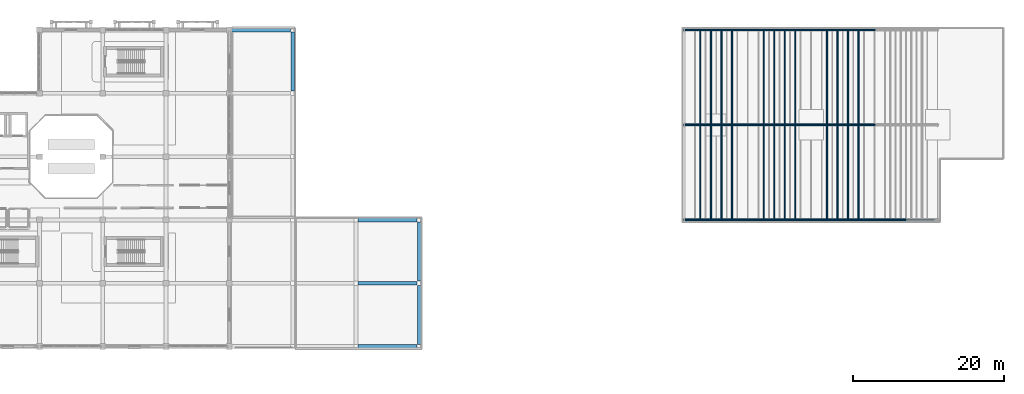
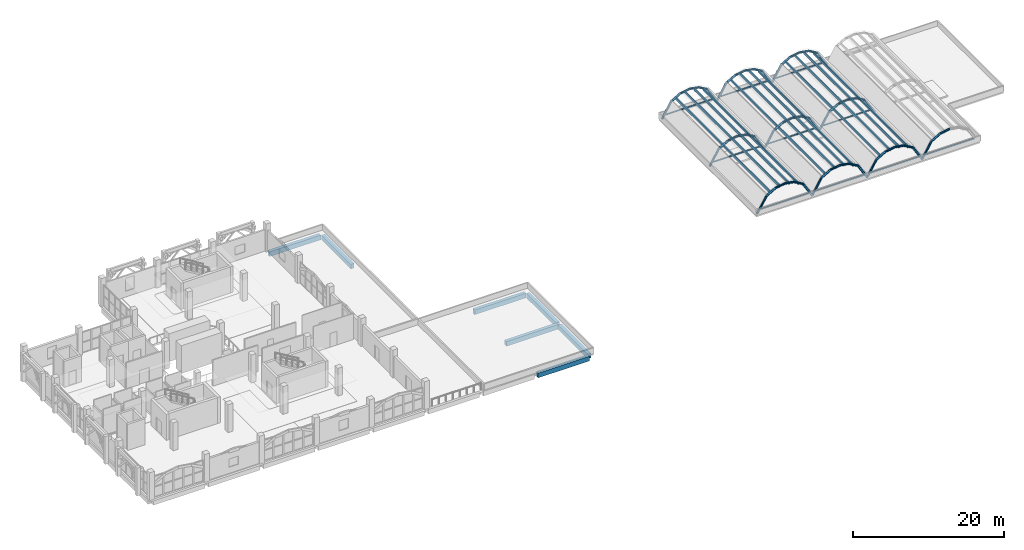
# One storey, part 19 of 34: 74 beams, 24 members.
"""IFC4 building model written with IfcOpenShell, lengths in metres."""

from ifc_helpers import new_model, si_unit, direction, frame, origin, origin_2d, place, context, subcontext, project, spatial, rectangle, hollow_circle, extrude, material, material_profile, profile_set, type_object, element, save


model = new_model("IFC4")

# Units and contexts
model_context = context("Model", 3, precision=1e-05, world=origin(), true_north=direction((0.0, 1.0)))
body_context = subcontext(model_context, "Body", "Model", "MODEL_VIEW")
ifc_project = project(units=[si_unit("LENGTHUNIT", "METRE"), si_unit("AREAUNIT", "SQUARE_METRE"), si_unit("VOLUMEUNIT", "CUBIC_METRE"), si_unit("PLANEANGLEUNIT", "RADIAN"), si_unit("MASSUNIT", "GRAM", prefix="KILO")], contexts=[model_context])

# Site, building, storey
site_placement = place(None, origin())
site = spatial("IfcSite", under=ifc_project, at=site_placement, CompositionType="ELEMENT")
building_placement = place(site_placement, origin())
building = spatial("IfcBuilding", under=site, at=building_placement, Name="Xazarin Passage Department Store", CompositionType="ELEMENT")
storey_placement = place(building_placement, frame((0.0, 0.0, 18.89990234375)))
storey = spatial("IfcBuildingStorey", under=building, at=storey_placement, Name="L04", CompositionType="ELEMENT", Elevation=18.89990234375)

# Beams
ifc_material_1 = material(Name="Steel S355", Category="steel")
ifc_material_profile_1 = material_profile(ifc_material_1, hollow_circle(Radius=0.161865234375, WallThickness=0.01611328125, at=origin_2d()), Name="CHS 323.9x16")
ifc_profile_set_1 = profile_set([ifc_material_profile_1], Name="Steel S355")
beam_type_1 = type_object("IfcBeamType", Name="STR-BM-AR324", PredefinedType="BEAM", material=ifc_profile_set_1)
beam_1_placement = place(storey_placement, frame((102.39990234375, 84.800048828125, 0.0), z_axis=(0.509951062652, 0.0, 0.860203414141), x_axis=(0.0, 1.0, 0.0)))
element("IfcBeam", 1, at=beam_1_placement, inside=storey, type_object=beam_type_1, Name="L04 V4 Curved Shell Arch Rib 1.1.1", PredefinedType="BEAM", context=body_context, shape_type="SweptSolid", body=[
    extrude(hollow_circle(Radius=0.161865234375, WallThickness=0.01611328125, at=origin_2d()), origin(), (0.0, 0.0, 1.0), 2.74560546875),
])
beam_2_placement = place(storey_placement, frame((103.800048828125, 84.800048828125, 2.36181640625), z_axis=(0.867236165684, 0.0, 0.497897010365), x_axis=(0.0, 1.0, 0.0)))
element("IfcBeam", 2, at=beam_2_placement, inside=storey, type_object=beam_type_1, Name="L04 V4 Curved Shell Arch Rib 1.1.2", PredefinedType="BEAM", context=body_context, shape_type="SweptSolid", body=[
    extrude(hollow_circle(Radius=0.161865234375, WallThickness=0.01611328125, at=origin_2d()), origin(), (0.0, 0.0, 1.0), 1.6142578125),
])
beam_3_placement = place(storey_placement, frame((105.199951171875, 84.800048828125, 3.16552734375), z_axis=(0.986249461804, 0.0, 0.165263423329), x_axis=(0.0, 1.0, 0.0)))
element("IfcBeam", 3, at=beam_3_placement, inside=storey, type_object=beam_type_1, Name="L04 V4 Curved Shell Arch Rib 1.1.3", PredefinedType="BEAM", context=body_context, shape_type="SweptSolid", body=[
    extrude(hollow_circle(Radius=0.161865234375, WallThickness=0.01611328125, at=origin_2d()), origin(), (0.0, 0.0, 1.0), 1.419677734375),
])
beam_4_placement = place(storey_placement, frame((106.60009765625, 84.800048828125, 3.400146484375), z_axis=(0.986244763758, 0.0, -0.165291457616), x_axis=(0.0, 1.0, 0.0)))
element("IfcBeam", 4, at=beam_4_placement, inside=storey, type_object=beam_type_1, Name="L04 V4 Curved Shell Arch Rib 1.1.4", PredefinedType="BEAM", context=body_context, shape_type="SweptSolid", body=[
    extrude(hollow_circle(Radius=0.161865234375, WallThickness=0.01611328125, at=origin_2d()), origin(), (0.0, 0.0, 1.0), 1.41943359375),
])
beam_5_placement = place(storey_placement, frame((108.0, 84.800048828125, 3.16552734375), z_axis=(0.867236165684, 0.0, -0.497897010365), x_axis=(0.0, 1.0, 0.0)))
element("IfcBeam", 5, at=beam_5_placement, inside=storey, type_object=beam_type_1, Name="L04 V4 Curved Shell Arch Rib 1.1.5", PredefinedType="BEAM", context=body_context, shape_type="SweptSolid", body=[
    extrude(hollow_circle(Radius=0.161865234375, WallThickness=0.01611328125, at=origin_2d()), origin(), (0.0, 0.0, 1.0), 1.6142578125),
])
for number, where, z_axis, x_axis, name in (
    (6, (109.39990234375, 84.800048828125, 2.36181640625), (0.509951062652, 0.0, -0.860203414141), (0.0, 1.0, 0.0), "L04 V4 Curved Shell Arch Rib 1.1.6"),
    (7, (102.39990234375, 97.39990234375, 0.0), (0.509951062652, 0.0, 0.860203414141), (0.0, 1.0, 0.0), "L04 V4 Curved Shell Arch Rib 1.2.1"),
):
    element("IfcBeam", number, at=place(storey_placement, frame(where, z_axis=z_axis, x_axis=x_axis)), inside=storey, type_object=beam_type_1, Name=name, PredefinedType="BEAM", context=body_context, shape_type="SweptSolid", body=[
        extrude(hollow_circle(Radius=0.161865234375, WallThickness=0.01611328125, at=origin_2d()), origin(), (0.0, 0.0, 1.0), 2.74560546875),
    ])
beam_6_placement = place(storey_placement, frame((103.800048828125, 97.39990234375, 2.36181640625), z_axis=(0.867236165684, 0.0, 0.497897010365), x_axis=(0.0, 1.0, 0.0)))
element("IfcBeam", 8, at=beam_6_placement, inside=storey, type_object=beam_type_1, Name="L04 V4 Curved Shell Arch Rib 1.2.2", PredefinedType="BEAM", context=body_context, shape_type="SweptSolid", body=[
    extrude(hollow_circle(Radius=0.161865234375, WallThickness=0.01611328125, at=origin_2d()), origin(), (0.0, 0.0, 1.0), 1.6142578125),
])
beam_7_placement = place(storey_placement, frame((105.199951171875, 97.39990234375, 3.16552734375), z_axis=(0.986249461804, 0.0, 0.165263423329), x_axis=(0.0, 1.0, 0.0)))
element("IfcBeam", 9, at=beam_7_placement, inside=storey, type_object=beam_type_1, Name="L04 V4 Curved Shell Arch Rib 1.2.3", PredefinedType="BEAM", context=body_context, shape_type="SweptSolid", body=[
    extrude(hollow_circle(Radius=0.161865234375, WallThickness=0.01611328125, at=origin_2d()), origin(), (0.0, 0.0, 1.0), 1.419677734375),
])
beam_8_placement = place(storey_placement, frame((106.60009765625, 97.39990234375, 3.400146484375), z_axis=(0.986244763758, 0.0, -0.165291457616), x_axis=(0.0, 1.0, 0.0)))
element("IfcBeam", 10, at=beam_8_placement, inside=storey, type_object=beam_type_1, Name="L04 V4 Curved Shell Arch Rib 1.2.4", PredefinedType="BEAM", context=body_context, shape_type="SweptSolid", body=[
    extrude(hollow_circle(Radius=0.161865234375, WallThickness=0.01611328125, at=origin_2d()), origin(), (0.0, 0.0, 1.0), 1.41943359375),
])
beam_9_placement = place(storey_placement, frame((108.0, 97.39990234375, 3.16552734375), z_axis=(0.867236165684, 0.0, -0.497897010365), x_axis=(0.0, 1.0, 0.0)))
element("IfcBeam", 11, at=beam_9_placement, inside=storey, type_object=beam_type_1, Name="L04 V4 Curved Shell Arch Rib 1.2.5", PredefinedType="BEAM", context=body_context, shape_type="SweptSolid", body=[
    extrude(hollow_circle(Radius=0.161865234375, WallThickness=0.01611328125, at=origin_2d()), origin(), (0.0, 0.0, 1.0), 1.6142578125),
])
for number, where, z_axis, x_axis, name in (
    (12, (109.39990234375, 97.39990234375, 2.36181640625), (0.509951062652, 0.0, -0.860203414141), (0.0, 1.0, 0.0), "L04 V4 Curved Shell Arch Rib 1.2.6"),
    (13, (102.39990234375, 110.0, 0.0), (0.509951062652, 0.0, 0.860203414141), (0.0, 1.0, 0.0), "L04 V4 Curved Shell Arch Rib 1.3.1"),
):
    element("IfcBeam", number, at=place(storey_placement, frame(where, z_axis=z_axis, x_axis=x_axis)), inside=storey, type_object=beam_type_1, Name=name, PredefinedType="BEAM", context=body_context, shape_type="SweptSolid", body=[
        extrude(hollow_circle(Radius=0.161865234375, WallThickness=0.01611328125, at=origin_2d()), origin(), (0.0, 0.0, 1.0), 2.74560546875),
    ])
beam_10_placement = place(storey_placement, frame((103.800048828125, 110.0, 2.36181640625), z_axis=(0.867236165684, 0.0, 0.497897010365), x_axis=(0.0, 1.0, 0.0)))
element("IfcBeam", 14, at=beam_10_placement, inside=storey, type_object=beam_type_1, Name="L04 V4 Curved Shell Arch Rib 1.3.2", PredefinedType="BEAM", context=body_context, shape_type="SweptSolid", body=[
    extrude(hollow_circle(Radius=0.161865234375, WallThickness=0.01611328125, at=origin_2d()), origin(), (0.0, 0.0, 1.0), 1.6142578125),
])
beam_11_placement = place(storey_placement, frame((105.199951171875, 110.0, 3.16552734375), z_axis=(0.986249461804, 0.0, 0.165263423329), x_axis=(0.0, 1.0, 0.0)))
element("IfcBeam", 15, at=beam_11_placement, inside=storey, type_object=beam_type_1, Name="L04 V4 Curved Shell Arch Rib 1.3.3", PredefinedType="BEAM", context=body_context, shape_type="SweptSolid", body=[
    extrude(hollow_circle(Radius=0.161865234375, WallThickness=0.01611328125, at=origin_2d()), origin(), (0.0, 0.0, 1.0), 1.419677734375),
])
beam_12_placement = place(storey_placement, frame((106.60009765625, 110.0, 3.400146484375), z_axis=(0.986244763758, 0.0, -0.165291457616), x_axis=(0.0, 1.0, 0.0)))
element("IfcBeam", 16, at=beam_12_placement, inside=storey, type_object=beam_type_1, Name="L04 V4 Curved Shell Arch Rib 1.3.4", PredefinedType="BEAM", context=body_context, shape_type="SweptSolid", body=[
    extrude(hollow_circle(Radius=0.161865234375, WallThickness=0.01611328125, at=origin_2d()), origin(), (0.0, 0.0, 1.0), 1.41943359375),
])
beam_13_placement = place(storey_placement, frame((108.0, 110.0, 3.16552734375), z_axis=(0.867236165684, 0.0, -0.497897010365), x_axis=(0.0, 1.0, 0.0)))
element("IfcBeam", 17, at=beam_13_placement, inside=storey, type_object=beam_type_1, Name="L04 V4 Curved Shell Arch Rib 1.3.5", PredefinedType="BEAM", context=body_context, shape_type="SweptSolid", body=[
    extrude(hollow_circle(Radius=0.161865234375, WallThickness=0.01611328125, at=origin_2d()), origin(), (0.0, 0.0, 1.0), 1.6142578125),
])
for number, where, z_axis, x_axis, name in (
    (18, (109.39990234375, 110.0, 2.36181640625), (0.509951062652, 0.0, -0.860203414141), (0.0, 1.0, 0.0), "L04 V4 Curved Shell Arch Rib 1.3.6"),
    (19, (110.800048828125, 84.800048828125, 0.0), (0.509885262494, 0.0, 0.860242418794), (0.0, 1.0, 0.0), "L04 V4 Curved Shell Arch Rib 2.1.1"),
):
    element("IfcBeam", number, at=place(storey_placement, frame(where, z_axis=z_axis, x_axis=x_axis)), inside=storey, type_object=beam_type_1, Name=name, PredefinedType="BEAM", context=body_context, shape_type="SweptSolid", body=[
        extrude(hollow_circle(Radius=0.161865234375, WallThickness=0.01611328125, at=origin_2d()), origin(), (0.0, 0.0, 1.0), 2.74560546875),
    ])
beam_14_placement = place(storey_placement, frame((112.199951171875, 84.800048828125, 2.36181640625), z_axis=(0.867273652045, 0.0, 0.497831710991), x_axis=(0.0, 1.0, 0.0)))
element("IfcBeam", 20, at=beam_14_placement, inside=storey, type_object=beam_type_1, Name="L04 V4 Curved Shell Arch Rib 2.1.2", PredefinedType="BEAM", context=body_context, shape_type="SweptSolid", body=[
    extrude(hollow_circle(Radius=0.161865234375, WallThickness=0.01611328125, at=origin_2d()), origin(), (0.0, 0.0, 1.0), 1.614501953125),
])
for number, where, z_axis, x_axis, name in (
    (21, (113.60009765625, 84.800048828125, 3.16552734375), (0.986244763758, 0.0, 0.165291457616), (0.0, 1.0, 0.0), "L04 V4 Curved Shell Arch Rib 2.1.3"),
    (22, (115.0, 84.800048828125, 3.400146484375), (0.986244763758, 0.0, -0.165291457616), (0.0, 1.0, 0.0), "L04 V4 Curved Shell Arch Rib 2.1.4"),
):
    element("IfcBeam", number, at=place(storey_placement, frame(where, z_axis=z_axis, x_axis=x_axis)), inside=storey, type_object=beam_type_1, Name=name, PredefinedType="BEAM", context=body_context, shape_type="SweptSolid", body=[
        extrude(hollow_circle(Radius=0.161865234375, WallThickness=0.01611328125, at=origin_2d()), origin(), (0.0, 0.0, 1.0), 1.41943359375),
    ])
beam_15_placement = place(storey_placement, frame((116.39990234375, 84.800048828125, 3.16552734375), z_axis=(0.867273652045, 0.0, -0.497831710991), x_axis=(0.0, 1.0, 0.0)))
element("IfcBeam", 23, at=beam_15_placement, inside=storey, type_object=beam_type_1, Name="L04 V4 Curved Shell Arch Rib 2.1.5", PredefinedType="BEAM", context=body_context, shape_type="SweptSolid", body=[
    extrude(hollow_circle(Radius=0.161865234375, WallThickness=0.01611328125, at=origin_2d()), origin(), (0.0, 0.0, 1.0), 1.614501953125),
])
for number, where, z_axis, x_axis, name in (
    (24, (117.800048828125, 84.800048828125, 2.36181640625), (0.509885262494, 0.0, -0.860242418794), (0.0, 1.0, 0.0), "L04 V4 Curved Shell Arch Rib 2.1.6"),
    (25, (110.800048828125, 97.39990234375, 0.0), (0.509885262494, 0.0, 0.860242418794), (0.0, 1.0, 0.0), "L04 V4 Curved Shell Arch Rib 2.2.1"),
):
    element("IfcBeam", number, at=place(storey_placement, frame(where, z_axis=z_axis, x_axis=x_axis)), inside=storey, type_object=beam_type_1, Name=name, PredefinedType="BEAM", context=body_context, shape_type="SweptSolid", body=[
        extrude(hollow_circle(Radius=0.161865234375, WallThickness=0.01611328125, at=origin_2d()), origin(), (0.0, 0.0, 1.0), 2.74560546875),
    ])
beam_16_placement = place(storey_placement, frame((112.199951171875, 97.39990234375, 2.36181640625), z_axis=(0.867273652045, 0.0, 0.497831710991), x_axis=(0.0, 1.0, 0.0)))
element("IfcBeam", 26, at=beam_16_placement, inside=storey, type_object=beam_type_1, Name="L04 V4 Curved Shell Arch Rib 2.2.2", PredefinedType="BEAM", context=body_context, shape_type="SweptSolid", body=[
    extrude(hollow_circle(Radius=0.161865234375, WallThickness=0.01611328125, at=origin_2d()), origin(), (0.0, 0.0, 1.0), 1.614501953125),
])
for number, where, z_axis, x_axis, name in (
    (27, (113.60009765625, 97.39990234375, 3.16552734375), (0.986244763758, 0.0, 0.165291457616), (0.0, 1.0, 0.0), "L04 V4 Curved Shell Arch Rib 2.2.3"),
    (28, (115.0, 97.39990234375, 3.400146484375), (0.986244763758, 0.0, -0.165291457616), (0.0, 1.0, 0.0), "L04 V4 Curved Shell Arch Rib 2.2.4"),
):
    element("IfcBeam", number, at=place(storey_placement, frame(where, z_axis=z_axis, x_axis=x_axis)), inside=storey, type_object=beam_type_1, Name=name, PredefinedType="BEAM", context=body_context, shape_type="SweptSolid", body=[
        extrude(hollow_circle(Radius=0.161865234375, WallThickness=0.01611328125, at=origin_2d()), origin(), (0.0, 0.0, 1.0), 1.41943359375),
    ])
beam_17_placement = place(storey_placement, frame((116.39990234375, 97.39990234375, 3.16552734375), z_axis=(0.867273652045, 0.0, -0.497831710991), x_axis=(0.0, 1.0, 0.0)))
element("IfcBeam", 29, at=beam_17_placement, inside=storey, type_object=beam_type_1, Name="L04 V4 Curved Shell Arch Rib 2.2.5", PredefinedType="BEAM", context=body_context, shape_type="SweptSolid", body=[
    extrude(hollow_circle(Radius=0.161865234375, WallThickness=0.01611328125, at=origin_2d()), origin(), (0.0, 0.0, 1.0), 1.614501953125),
])
for number, where, z_axis, x_axis, name in (
    (30, (117.800048828125, 97.39990234375, 2.36181640625), (0.509885262494, 0.0, -0.860242418794), (0.0, 1.0, 0.0), "L04 V4 Curved Shell Arch Rib 2.2.6"),
    (31, (110.800048828125, 110.0, 0.0), (0.509885262494, 0.0, 0.860242418794), (0.0, 1.0, 0.0), "L04 V4 Curved Shell Arch Rib 2.3.1"),
):
    element("IfcBeam", number, at=place(storey_placement, frame(where, z_axis=z_axis, x_axis=x_axis)), inside=storey, type_object=beam_type_1, Name=name, PredefinedType="BEAM", context=body_context, shape_type="SweptSolid", body=[
        extrude(hollow_circle(Radius=0.161865234375, WallThickness=0.01611328125, at=origin_2d()), origin(), (0.0, 0.0, 1.0), 2.74560546875),
    ])
beam_18_placement = place(storey_placement, frame((112.199951171875, 110.0, 2.36181640625), z_axis=(0.867273652045, 0.0, 0.497831710991), x_axis=(0.0, 1.0, 0.0)))
element("IfcBeam", 32, at=beam_18_placement, inside=storey, type_object=beam_type_1, Name="L04 V4 Curved Shell Arch Rib 2.3.2", PredefinedType="BEAM", context=body_context, shape_type="SweptSolid", body=[
    extrude(hollow_circle(Radius=0.161865234375, WallThickness=0.01611328125, at=origin_2d()), origin(), (0.0, 0.0, 1.0), 1.614501953125),
])
for number, where, z_axis, x_axis, name in (
    (33, (113.60009765625, 110.0, 3.16552734375), (0.986244763758, 0.0, 0.165291457616), (0.0, 1.0, 0.0), "L04 V4 Curved Shell Arch Rib 2.3.3"),
    (34, (115.0, 110.0, 3.400146484375), (0.986244763758, 0.0, -0.165291457616), (0.0, 1.0, 0.0), "L04 V4 Curved Shell Arch Rib 2.3.4"),
):
    element("IfcBeam", number, at=place(storey_placement, frame(where, z_axis=z_axis, x_axis=x_axis)), inside=storey, type_object=beam_type_1, Name=name, PredefinedType="BEAM", context=body_context, shape_type="SweptSolid", body=[
        extrude(hollow_circle(Radius=0.161865234375, WallThickness=0.01611328125, at=origin_2d()), origin(), (0.0, 0.0, 1.0), 1.41943359375),
    ])
beam_19_placement = place(storey_placement, frame((116.39990234375, 110.0, 3.16552734375), z_axis=(0.867273652045, 0.0, -0.497831710991), x_axis=(0.0, 1.0, 0.0)))
element("IfcBeam", 35, at=beam_19_placement, inside=storey, type_object=beam_type_1, Name="L04 V4 Curved Shell Arch Rib 2.3.5", PredefinedType="BEAM", context=body_context, shape_type="SweptSolid", body=[
    extrude(hollow_circle(Radius=0.161865234375, WallThickness=0.01611328125, at=origin_2d()), origin(), (0.0, 0.0, 1.0), 1.614501953125),
])
for number, where, z_axis, x_axis, name in (
    (36, (117.800048828125, 110.0, 2.36181640625), (0.509885262494, 0.0, -0.860242418794), (0.0, 1.0, 0.0), "L04 V4 Curved Shell Arch Rib 2.3.6"),
    (37, (119.199951171875, 84.800048828125, 0.0), (0.509951062652, 0.0, 0.860203414141), (0.0, 1.0, 0.0), "L04 V4 Curved Shell Arch Rib 3.1.1"),
):
    element("IfcBeam", number, at=place(storey_placement, frame(where, z_axis=z_axis, x_axis=x_axis)), inside=storey, type_object=beam_type_1, Name=name, PredefinedType="BEAM", context=body_context, shape_type="SweptSolid", body=[
        extrude(hollow_circle(Radius=0.161865234375, WallThickness=0.01611328125, at=origin_2d()), origin(), (0.0, 0.0, 1.0), 2.74560546875),
    ])
beam_20_placement = place(storey_placement, frame((120.60009765625, 84.800048828125, 2.36181640625), z_axis=(0.867236165684, 0.0, 0.497897010365), x_axis=(0.0, 1.0, 0.0)))
element("IfcBeam", 38, at=beam_20_placement, inside=storey, type_object=beam_type_1, Name="L04 V4 Curved Shell Arch Rib 3.1.2", PredefinedType="BEAM", context=body_context, shape_type="SweptSolid", body=[
    extrude(hollow_circle(Radius=0.161865234375, WallThickness=0.01611328125, at=origin_2d()), origin(), (0.0, 0.0, 1.0), 1.6142578125),
])
beam_21_placement = place(storey_placement, frame((122.0, 84.800048828125, 3.16552734375), z_axis=(0.986244763758, 0.0, 0.165291457616), x_axis=(0.0, 1.0, 0.0)))
element("IfcBeam", 39, at=beam_21_placement, inside=storey, type_object=beam_type_1, Name="L04 V4 Curved Shell Arch Rib 3.1.3", PredefinedType="BEAM", context=body_context, shape_type="SweptSolid", body=[
    extrude(hollow_circle(Radius=0.161865234375, WallThickness=0.01611328125, at=origin_2d()), origin(), (0.0, 0.0, 1.0), 1.41943359375),
])
beam_22_placement = place(storey_placement, frame((123.39990234375, 84.800048828125, 3.400146484375), z_axis=(0.986249461804, 0.0, -0.165263423329), x_axis=(0.0, 1.0, 0.0)))
element("IfcBeam", 40, at=beam_22_placement, inside=storey, type_object=beam_type_1, Name="L04 V4 Curved Shell Arch Rib 3.1.4", PredefinedType="BEAM", context=body_context, shape_type="SweptSolid", body=[
    extrude(hollow_circle(Radius=0.161865234375, WallThickness=0.01611328125, at=origin_2d()), origin(), (0.0, 0.0, 1.0), 1.419677734375),
])
beam_23_placement = place(storey_placement, frame((124.800048828125, 84.800048828125, 3.16552734375), z_axis=(0.867236165684, 0.0, -0.497897010365), x_axis=(0.0, 1.0, 0.0)))
element("IfcBeam", 41, at=beam_23_placement, inside=storey, type_object=beam_type_1, Name="L04 V4 Curved Shell Arch Rib 3.1.5", PredefinedType="BEAM", context=body_context, shape_type="SweptSolid", body=[
    extrude(hollow_circle(Radius=0.161865234375, WallThickness=0.01611328125, at=origin_2d()), origin(), (0.0, 0.0, 1.0), 1.6142578125),
])
for number, where, z_axis, x_axis, name in (
    (42, (126.199951171875, 84.800048828125, 2.36181640625), (0.509951062652, 0.0, -0.860203414141), (0.0, 1.0, 0.0), "L04 V4 Curved Shell Arch Rib 3.1.6"),
    (43, (119.199951171875, 97.39990234375, 0.0), (0.509951062652, 0.0, 0.860203414141), (0.0, 1.0, 0.0), "L04 V4 Curved Shell Arch Rib 3.2.1"),
):
    element("IfcBeam", number, at=place(storey_placement, frame(where, z_axis=z_axis, x_axis=x_axis)), inside=storey, type_object=beam_type_1, Name=name, PredefinedType="BEAM", context=body_context, shape_type="SweptSolid", body=[
        extrude(hollow_circle(Radius=0.161865234375, WallThickness=0.01611328125, at=origin_2d()), origin(), (0.0, 0.0, 1.0), 2.74560546875),
    ])
beam_24_placement = place(storey_placement, frame((120.60009765625, 97.39990234375, 2.36181640625), z_axis=(0.867236165684, 0.0, 0.497897010365), x_axis=(0.0, 1.0, 0.0)))
element("IfcBeam", 44, at=beam_24_placement, inside=storey, type_object=beam_type_1, Name="L04 V4 Curved Shell Arch Rib 3.2.2", PredefinedType="BEAM", context=body_context, shape_type="SweptSolid", body=[
    extrude(hollow_circle(Radius=0.161865234375, WallThickness=0.01611328125, at=origin_2d()), origin(), (0.0, 0.0, 1.0), 1.6142578125),
])
beam_25_placement = place(storey_placement, frame((122.0, 97.39990234375, 3.16552734375), z_axis=(0.986244763758, 0.0, 0.165291457616), x_axis=(0.0, 1.0, 0.0)))
element("IfcBeam", 45, at=beam_25_placement, inside=storey, type_object=beam_type_1, Name="L04 V4 Curved Shell Arch Rib 3.2.3", PredefinedType="BEAM", context=body_context, shape_type="SweptSolid", body=[
    extrude(hollow_circle(Radius=0.161865234375, WallThickness=0.01611328125, at=origin_2d()), origin(), (0.0, 0.0, 1.0), 1.41943359375),
])
beam_26_placement = place(storey_placement, frame((123.39990234375, 97.39990234375, 3.400146484375), z_axis=(0.986249461804, 0.0, -0.165263423329), x_axis=(0.0, 1.0, 0.0)))
element("IfcBeam", 46, at=beam_26_placement, inside=storey, type_object=beam_type_1, Name="L04 V4 Curved Shell Arch Rib 3.2.4", PredefinedType="BEAM", context=body_context, shape_type="SweptSolid", body=[
    extrude(hollow_circle(Radius=0.161865234375, WallThickness=0.01611328125, at=origin_2d()), origin(), (0.0, 0.0, 1.0), 1.419677734375),
])
beam_27_placement = place(storey_placement, frame((124.800048828125, 97.39990234375, 3.16552734375), z_axis=(0.867236165684, 0.0, -0.497897010365), x_axis=(0.0, 1.0, 0.0)))
element("IfcBeam", 47, at=beam_27_placement, inside=storey, type_object=beam_type_1, Name="L04 V4 Curved Shell Arch Rib 3.2.5", PredefinedType="BEAM", context=body_context, shape_type="SweptSolid", body=[
    extrude(hollow_circle(Radius=0.161865234375, WallThickness=0.01611328125, at=origin_2d()), origin(), (0.0, 0.0, 1.0), 1.6142578125),
])
for number, where, z_axis, x_axis, name in (
    (48, (126.199951171875, 97.39990234375, 2.36181640625), (0.509951062652, 0.0, -0.860203414141), (0.0, 1.0, 0.0), "L04 V4 Curved Shell Arch Rib 3.2.6"),
    (49, (119.199951171875, 110.0, 0.0), (0.509951062652, 0.0, 0.860203414141), (0.0, 1.0, 0.0), "L04 V4 Curved Shell Arch Rib 3.3.1"),
):
    element("IfcBeam", number, at=place(storey_placement, frame(where, z_axis=z_axis, x_axis=x_axis)), inside=storey, type_object=beam_type_1, Name=name, PredefinedType="BEAM", context=body_context, shape_type="SweptSolid", body=[
        extrude(hollow_circle(Radius=0.161865234375, WallThickness=0.01611328125, at=origin_2d()), origin(), (0.0, 0.0, 1.0), 2.74560546875),
    ])
beam_28_placement = place(storey_placement, frame((120.60009765625, 110.0, 2.36181640625), z_axis=(0.867236165684, 0.0, 0.497897010365), x_axis=(0.0, 1.0, 0.0)))
element("IfcBeam", 50, at=beam_28_placement, inside=storey, type_object=beam_type_1, Name="L04 V4 Curved Shell Arch Rib 3.3.2", PredefinedType="BEAM", context=body_context, shape_type="SweptSolid", body=[
    extrude(hollow_circle(Radius=0.161865234375, WallThickness=0.01611328125, at=origin_2d()), origin(), (0.0, 0.0, 1.0), 1.6142578125),
])
beam_29_placement = place(storey_placement, frame((122.0, 110.0, 3.16552734375), z_axis=(0.986244763758, 0.0, 0.165291457616), x_axis=(0.0, 1.0, 0.0)))
element("IfcBeam", 51, at=beam_29_placement, inside=storey, type_object=beam_type_1, Name="L04 V4 Curved Shell Arch Rib 3.3.3", PredefinedType="BEAM", context=body_context, shape_type="SweptSolid", body=[
    extrude(hollow_circle(Radius=0.161865234375, WallThickness=0.01611328125, at=origin_2d()), origin(), (0.0, 0.0, 1.0), 1.41943359375),
])
beam_30_placement = place(storey_placement, frame((123.39990234375, 110.0, 3.400146484375), z_axis=(0.986249461804, 0.0, -0.165263423329), x_axis=(0.0, 1.0, 0.0)))
element("IfcBeam", 52, at=beam_30_placement, inside=storey, type_object=beam_type_1, Name="L04 V4 Curved Shell Arch Rib 3.3.4", PredefinedType="BEAM", context=body_context, shape_type="SweptSolid", body=[
    extrude(hollow_circle(Radius=0.161865234375, WallThickness=0.01611328125, at=origin_2d()), origin(), (0.0, 0.0, 1.0), 1.419677734375),
])
beam_31_placement = place(storey_placement, frame((124.800048828125, 110.0, 3.16552734375), z_axis=(0.867236165684, 0.0, -0.497897010365), x_axis=(0.0, 1.0, 0.0)))
element("IfcBeam", 53, at=beam_31_placement, inside=storey, type_object=beam_type_1, Name="L04 V4 Curved Shell Arch Rib 3.3.5", PredefinedType="BEAM", context=body_context, shape_type="SweptSolid", body=[
    extrude(hollow_circle(Radius=0.161865234375, WallThickness=0.01611328125, at=origin_2d()), origin(), (0.0, 0.0, 1.0), 1.6142578125),
])
for number, where, z_axis, x_axis, name in (
    (54, (126.199951171875, 110.0, 2.36181640625), (0.509951062652, 0.0, -0.860203414141), (0.0, 1.0, 0.0), "L04 V4 Curved Shell Arch Rib 3.3.6"),
    (55, (127.60009765625, 84.800048828125, 0.0), (0.509885262494, 0.0, 0.860242418794), (0.0, 1.0, 0.0), "L04 V4 Curved Shell Arch Rib 4.1.1"),
):
    element("IfcBeam", number, at=place(storey_placement, frame(where, z_axis=z_axis, x_axis=x_axis)), inside=storey, type_object=beam_type_1, Name=name, PredefinedType="BEAM", context=body_context, shape_type="SweptSolid", body=[
        extrude(hollow_circle(Radius=0.161865234375, WallThickness=0.01611328125, at=origin_2d()), origin(), (0.0, 0.0, 1.0), 2.74560546875),
    ])
beam_32_placement = place(storey_placement, frame((129.0, 84.800048828125, 2.36181640625), z_axis=(0.867236165684, 0.0, 0.497897010365), x_axis=(0.0, 1.0, 0.0)))
element("IfcBeam", 56, at=beam_32_placement, inside=storey, type_object=beam_type_1, Name="L04 V4 Curved Shell Arch Rib 4.1.2", PredefinedType="BEAM", context=body_context, shape_type="SweptSolid", body=[
    extrude(hollow_circle(Radius=0.161865234375, WallThickness=0.01611328125, at=origin_2d()), origin(), (0.0, 0.0, 1.0), 1.6142578125),
])
beam_33_placement = place(storey_placement, frame((130.39990234375, 84.800048828125, 3.16552734375), z_axis=(0.986249461804, 0.0, 0.165263423329), x_axis=(0.0, 1.0, 0.0)))
element("IfcBeam", 57, at=beam_33_placement, inside=storey, type_object=beam_type_1, Name="L04 V4 Curved Shell Arch Rib 4.1.3", PredefinedType="BEAM", context=body_context, shape_type="SweptSolid", body=[
    extrude(hollow_circle(Radius=0.161865234375, WallThickness=0.01611328125, at=origin_2d()), origin(), (0.0, 0.0, 1.0), 1.419677734375),
])
ifc_material_2 = material(Name="Concrete C35/45", Category="concrete")
ifc_material_profile_2 = material_profile(ifc_material_2, rectangle(XDim=0.5, YDim=0.75, at=origin_2d()), Name="RC 500x750")
ifc_profile_set_2 = profile_set([ifc_material_profile_2], Name="Concrete C35/45")
beam_type_2 = type_object("IfcBeamType", Name="STR-BM-SP500x750", PredefinedType="SPANDREL", material=ifc_profile_set_2)
for number, where, z_axis, x_axis, name in (
    (58, (59.080078125, 68.0, -0.6748046875), (1.0, 0.0, 0.0), (0.0, 1.0, 0.0), "L04 Grid Beam K/8-9"),
    (59, (59.080078125, 76.39990234375, -0.6748046875), (1.0, 0.0, 0.0), (0.0, 1.0, 0.0), "L04 Grid Beam L/8-9"),
    (60, (59.080078125, 84.800048828125, -0.6748046875), (1.0, 0.0, 0.0), (0.0, 1.0, 0.0), "L04 Grid Beam M/8-9"),
):
    element("IfcBeam", number, at=place(storey_placement, frame(where, z_axis=z_axis, x_axis=x_axis)), inside=storey, type_object=beam_type_2, Name=name, PredefinedType="SPANDREL", context=body_context, shape_type="SweptSolid", body=[
        extrude(rectangle(XDim=0.5, YDim=0.75, at=origin_2d()), origin(), (0.0, 0.0, 1.0), 7.83984375),
    ])
for number, where, z_axis, x_axis, name in (
    (61, (42.280029296875, 110.0, -0.6748046875), (1.0, 0.0, 0.0), (0.0, 1.0, 0.0), "L04 Grid Beam Q/6-7"),
    (62, (50.39990234375, 101.8798828125, -0.6748046875), (0.0, 1.0, 0.0), (-1.0, 0.0, 0.0), "L04 Grid Beam 7/P-Q"),
    (63, (67.199951171875, 68.280029296875, -0.6748046875), (0.0, 1.0, 0.0), (-1.0, 0.0, 0.0), "L04 Grid Beam 9/K-L"),
    (64, (67.199951171875, 76.679931640625, -0.6748046875), (0.0, 1.0, 0.0), (-1.0, 0.0, 0.0), "L04 Grid Beam 9/L-M"),
):
    element("IfcBeam", number, at=place(storey_placement, frame(where, z_axis=z_axis, x_axis=x_axis)), inside=storey, type_object=beam_type_2, Name=name, PredefinedType="SPANDREL", context=body_context, shape_type="SweptSolid", body=[
        extrude(rectangle(XDim=0.5, YDim=0.75, at=origin_2d()), origin(), (0.0, 0.0, 1.0), 7.840087890625),
    ])
ifc_material_profile_3 = material_profile(ifc_material_1, hollow_circle(Radius=0.109619140625, WallThickness=0.012451171875, at=origin_2d()), Name="CHS 219.1x12.5")
ifc_profile_set_3 = profile_set([ifc_material_profile_3], Name="Steel S355")
beam_type_3 = type_object("IfcBeamType", Name="STR-BM-TIE219", PredefinedType="BEAM", material=ifc_profile_set_3)
for number, where, z_axis, x_axis, name in (
    (65, (102.85009765625, 84.800048828125, 0.52001953125), (1.0, 0.0, 0.0), (0.0, 1.0, 0.0), "L04 V4 Barrel Shell Tie 1.1"),
    (66, (102.85009765625, 97.39990234375, 0.52001953125), (1.0, 0.0, 0.0), (0.0, 1.0, 0.0), "L04 V4 Barrel Shell Tie 1.2"),
    (67, (102.85009765625, 110.0, 0.52001953125), (1.0, 0.0, 0.0), (0.0, 1.0, 0.0), "L04 V4 Barrel Shell Tie 1.3"),
    (68, (111.25, 84.800048828125, 0.52001953125), (1.0, 0.0, 0.0), (0.0, 1.0, 0.0), "L04 V4 Barrel Shell Tie 2.1"),
    (69, (111.25, 97.39990234375, 0.52001953125), (1.0, 0.0, 0.0), (0.0, 1.0, 0.0), "L04 V4 Barrel Shell Tie 2.2"),
    (70, (111.25, 110.0, 0.52001953125), (1.0, 0.0, 0.0), (0.0, 1.0, 0.0), "L04 V4 Barrel Shell Tie 2.3"),
    (71, (119.64990234375, 84.800048828125, 0.52001953125), (1.0, 0.0, 0.0), (0.0, 1.0, 0.0), "L04 V4 Barrel Shell Tie 3.1"),
    (72, (119.64990234375, 97.39990234375, 0.52001953125), (1.0, 0.0, 0.0), (0.0, 1.0, 0.0), "L04 V4 Barrel Shell Tie 3.2"),
    (73, (119.64990234375, 110.0, 0.52001953125), (1.0, 0.0, 0.0), (0.0, 1.0, 0.0), "L04 V4 Barrel Shell Tie 3.3"),
    (74, (128.050048828125, 84.800048828125, 0.52001953125), (1.0, 0.0, 0.0), (0.0, 1.0, 0.0), "L04 V4 Barrel Shell Tie 4.1"),
):
    element("IfcBeam", number, at=place(storey_placement, frame(where, z_axis=z_axis, x_axis=x_axis)), inside=storey, type_object=beam_type_3, Name=name, PredefinedType="BEAM", context=body_context, shape_type="SweptSolid", body=[
        extrude(hollow_circle(Radius=0.109619140625, WallThickness=0.012451171875, at=origin_2d()), origin(), (0.0, 0.0, 1.0), 7.5),
    ])

# Members
ifc_material_3 = material(Name="Glulam GL28h", Category="wood")
ifc_material_profile_4 = material_profile(ifc_material_3, rectangle(XDim=0.159912109375, YDim=0.360107421875, at=origin_2d()), Name="GL28h 160x360")
ifc_profile_set_4 = profile_set([ifc_material_profile_4], Name="Glulam GL28h")
member_type = type_object("IfcMemberType", Name="STR-MEM-GL360", PredefinedType="PURLIN", material=ifc_profile_set_4)
for number, where, z_axis, x_axis, name in (
    (75, (104.5, 84.85009765625, 2.6435546875), (0.0, 1.0, 0.0), (-1.0, 0.0, 0.0), "L04 V4 Barrel Shell Purlin 1.2.1"),
    (76, (104.5, 97.449951171875, 2.6435546875), (0.0, 1.0, 0.0), (-1.0, 0.0, 0.0), "L04 V4 Barrel Shell Purlin 1.2.2"),
    (77, (105.89990234375, 84.85009765625, 3.162841796875), (0.0, 1.0, 0.0), (-1.0, 0.0, 0.0), "L04 V4 Barrel Shell Purlin 1.3.1"),
    (78, (105.89990234375, 97.449951171875, 3.162841796875), (0.0, 1.0, 0.0), (-1.0, 0.0, 0.0), "L04 V4 Barrel Shell Purlin 1.3.2"),
    (79, (107.300048828125, 84.85009765625, 3.162841796875), (0.0, 1.0, 0.0), (-1.0, 0.0, 0.0), "L04 V4 Barrel Shell Purlin 1.4.1"),
    (80, (107.300048828125, 97.449951171875, 3.162841796875), (0.0, 1.0, 0.0), (-1.0, 0.0, 0.0), "L04 V4 Barrel Shell Purlin 1.4.2"),
    (81, (108.699951171875, 84.85009765625, 2.6435546875), (0.0, 1.0, 0.0), (-1.0, 0.0, 0.0), "L04 V4 Barrel Shell Purlin 1.5.1"),
    (82, (108.699951171875, 97.449951171875, 2.6435546875), (0.0, 1.0, 0.0), (-1.0, 0.0, 0.0), "L04 V4 Barrel Shell Purlin 1.5.2"),
    (83, (112.89990234375, 84.85009765625, 2.6435546875), (0.0, 1.0, 0.0), (-1.0, 0.0, 0.0), "L04 V4 Barrel Shell Purlin 2.2.1"),
    (84, (112.89990234375, 97.449951171875, 2.6435546875), (0.0, 1.0, 0.0), (-1.0, 0.0, 0.0), "L04 V4 Barrel Shell Purlin 2.2.2"),
    (85, (114.300048828125, 84.85009765625, 3.162841796875), (0.0, 1.0, 0.0), (-1.0, 0.0, 0.0), "L04 V4 Barrel Shell Purlin 2.3.1"),
    (86, (114.300048828125, 97.449951171875, 3.162841796875), (0.0, 1.0, 0.0), (-1.0, 0.0, 0.0), "L04 V4 Barrel Shell Purlin 2.3.2"),
    (87, (115.699951171875, 84.85009765625, 3.162841796875), (0.0, 1.0, 0.0), (-1.0, 0.0, 0.0), "L04 V4 Barrel Shell Purlin 2.4.1"),
    (88, (115.699951171875, 97.449951171875, 3.162841796875), (0.0, 1.0, 0.0), (-1.0, 0.0, 0.0), "L04 V4 Barrel Shell Purlin 2.4.2"),
    (89, (117.10009765625, 84.85009765625, 2.6435546875), (0.0, 1.0, 0.0), (-1.0, 0.0, 0.0), "L04 V4 Barrel Shell Purlin 2.5.1"),
    (90, (117.10009765625, 97.449951171875, 2.6435546875), (0.0, 1.0, 0.0), (-1.0, 0.0, 0.0), "L04 V4 Barrel Shell Purlin 2.5.2"),
    (91, (121.300048828125, 84.85009765625, 2.6435546875), (0.0, 1.0, 0.0), (-1.0, 0.0, 0.0), "L04 V4 Barrel Shell Purlin 3.2.1"),
    (92, (121.300048828125, 97.449951171875, 2.6435546875), (0.0, 1.0, 0.0), (-1.0, 0.0, 0.0), "L04 V4 Barrel Shell Purlin 3.2.2"),
    (93, (122.699951171875, 84.85009765625, 3.162841796875), (0.0, 1.0, 0.0), (-1.0, 0.0, 0.0), "L04 V4 Barrel Shell Purlin 3.3.1"),
    (94, (122.699951171875, 97.449951171875, 3.162841796875), (0.0, 1.0, 0.0), (-1.0, 0.0, 0.0), "L04 V4 Barrel Shell Purlin 3.3.2"),
    (95, (124.10009765625, 84.85009765625, 3.162841796875), (0.0, 1.0, 0.0), (-1.0, 0.0, 0.0), "L04 V4 Barrel Shell Purlin 3.4.1"),
    (96, (124.10009765625, 97.449951171875, 3.162841796875), (0.0, 1.0, 0.0), (-1.0, 0.0, 0.0), "L04 V4 Barrel Shell Purlin 3.4.2"),
    (97, (125.5, 84.85009765625, 2.6435546875), (0.0, 1.0, 0.0), (-1.0, 0.0, 0.0), "L04 V4 Barrel Shell Purlin 3.5.1"),
    (98, (125.5, 97.449951171875, 2.6435546875), (0.0, 1.0, 0.0), (-1.0, 0.0, 0.0), "L04 V4 Barrel Shell Purlin 3.5.2"),
):
    element("IfcMember", number, at=place(storey_placement, frame(where, z_axis=z_axis, x_axis=x_axis)), inside=storey, type_object=member_type, Name=name, PredefinedType="PURLIN", context=body_context, shape_type="SweptSolid", body=[
        extrude(rectangle(XDim=0.159912109375, YDim=0.360107421875, at=origin_2d()), origin(), (0.0, 0.0, 1.0), 12.5),
    ])

save(model, "model.ifc")
